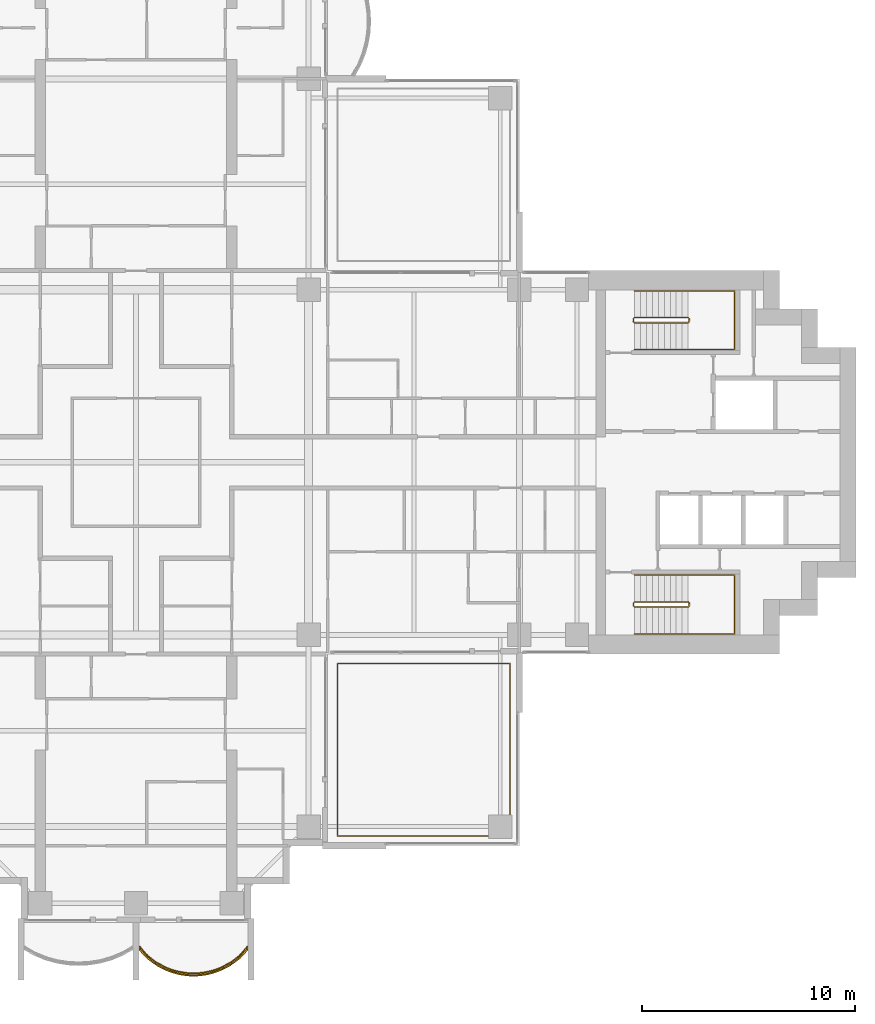
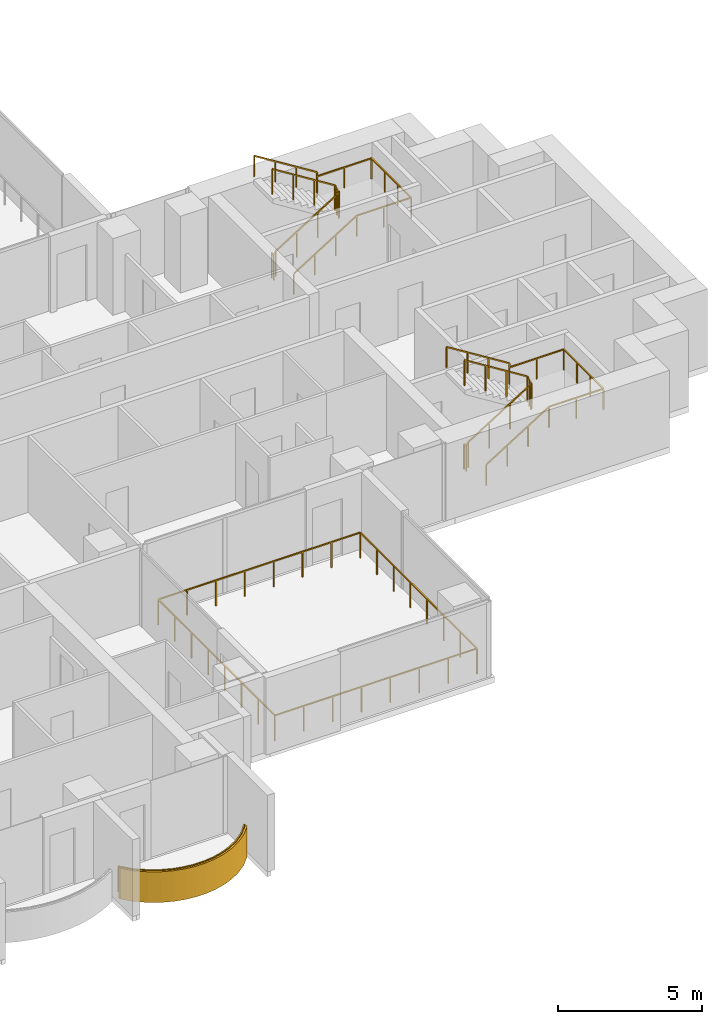
# One storey, part 17 of 19: 6 railings, 1 covering.
"""IFC4 building model written with IfcOpenShell, lengths in metres."""

import ifcopenshell
import ifcopenshell.guid

model = None  # the IFC model being written
_history = None  # IfcOwnerHistory: only IFC2X3 demands one
_inside = {}  # id of a spatial element -> (the spatial element, [elements in it])
_under = {}  # id of a project, library or spatial element -> (it, [spatial elements below it])
_declared = {}  # id of a project -> (the project, [libraries it declares])
_typed = {}  # id of a type object -> (the type object, [elements of that type])
_made_of = {}  # id of a material, layer set ... -> (it, [elements and type objects made of it])


def new_model(schema):
    """Start an empty IFC model of exactly this schema.

    Asked for "IFC4X3", IfcOpenShell would pick the latest addendum, in which some entities
    have other attributes; the version numbers below select the first issue.
    IFC2X3 requires an IfcOwnerHistory on every rooted entity: one is made here for all.
    """
    global model, _history
    if schema == "IFC4X3":
        model = ifcopenshell.file(schema_version=(4, 3, 0, 0))
    else:
        model = ifcopenshell.file(schema=schema)
    _inside.clear()
    _under.clear()
    _declared.clear()
    _typed.clear()
    _made_of.clear()
    _history = None
    if model.schema == "IFC2X3":
        org = make("IfcOrganization", Name="unknown")
        user = make(
            "IfcPersonAndOrganization",
            ThePerson=make("IfcPerson", FamilyName="unknown"),
            TheOrganization=org,
        )
        app = make(
            "IfcApplication",
            ApplicationDeveloper=org,
            Version="unknown",
            ApplicationFullName="unknown",
            ApplicationIdentifier="unknown",
        )
        _history = make(
            "IfcOwnerHistory",
            OwningUser=user,
            OwningApplication=app,
            ChangeAction="ADDED",
            CreationDate=0,
        )
    return model


def make(cls, **values):
    """One entity of the class cls with the attributes given. An attribute that is None is left unset."""
    return model.create_entity(
        cls, **{name: value for name, value in values.items() if value is not None}
    )


def rooted(cls, **values):
    """An entity with a GlobalId (a new one), such as an element, a storey or a relation."""
    return make(cls, GlobalId=ifcopenshell.guid.new(), OwnerHistory=_history, **values)


def si_unit(unit_type, name, prefix=None):
    """IfcSIUnit, for example si_unit("LENGTHUNIT", "METRE", prefix="MILLI")."""
    return make("IfcSIUnit", UnitType=unit_type, Prefix=prefix, Name=name)


def assignment(units):
    """IfcUnitAssignment: the units of a project."""
    return None if units is None else make("IfcUnitAssignment", Units=units)


def point(xyz):
    """IfcCartesianPoint."""
    return None if xyz is None else make("IfcCartesianPoint", Coordinates=xyz)


def direction(xyz):
    """IfcDirection."""
    return None if xyz is None else make("IfcDirection", DirectionRatios=xyz)


def frame(location, z_axis=None, x_axis=None):
    """IfcAxis2Placement3D, a coordinate frame: its origin and axes. An axis left out is left unset."""
    return make(
        "IfcAxis2Placement3D",
        Location=point(location),
        Axis=direction(z_axis),
        RefDirection=direction(x_axis),
    )


def frame_2d(location, x_axis=None):
    """IfcAxis2Placement2D, a coordinate frame in the plane: its origin and x axis."""
    return make(
        "IfcAxis2Placement2D", Location=point(location), RefDirection=direction(x_axis)
    )


def origin():
    """The frame at (0, 0, 0) with its axes left unset."""
    return frame((0.0, 0.0, 0.0))


def origin_2d():
    """The frame at (0, 0) in the plane with its x axis left unset."""
    return frame_2d((0.0, 0.0))


def place(relative_to, where):
    """IfcLocalPlacement: puts the frame where relative to a parent placement (None: the world)."""
    return make(
        "IfcLocalPlacement", PlacementRelTo=relative_to, RelativePlacement=where
    )


def context(
    kind, dimensions, precision=None, world=None, true_north=None, identifier=None
):
    """IfcGeometricRepresentationContext, for example the 3D "Model" context."""
    return make(
        "IfcGeometricRepresentationContext",
        ContextIdentifier=identifier,
        ContextType=kind,
        CoordinateSpaceDimension=dimensions,
        Precision=precision,
        WorldCoordinateSystem=world,
        TrueNorth=true_north,
    )


def subcontext(parent, identifier, kind, view, scale=None):
    """IfcGeometricRepresentationSubContext, for example "Body" below "Model"."""
    return make(
        "IfcGeometricRepresentationSubContext",
        ContextIdentifier=identifier,
        ContextType=kind,
        ParentContext=parent,
        TargetScale=scale,
        TargetView=view,
    )


def project(units=None, contexts=None):
    """IfcProject with its units and contexts."""
    return rooted(
        "IfcProject",
        Name="project",
        RepresentationContexts=contexts,
        UnitsInContext=assignment(units),
    )


def spatial(cls, under=None, at=None, **own):
    """A site, building, storey or space (cls), placed at a placement, below another one or the project."""
    s = rooted(cls, ObjectPlacement=at, **own)
    if under is not None:
        _under.setdefault(under.id(), (under, []))[1].append(s)
    return s


def polyline(points):
    """IfcPolyline through the points."""
    return make("IfcPolyline", Points=[point(p) for p in points])


def profile(cls, at=None, kind="AREA", **sizes):
    """A parametric profile (cls). Its sizes go by their IFC names, for example OverallWidth=200.0."""
    return make(cls, ProfileType=kind, Position=at, **sizes)


def rectangle(**sizes):
    """IfcRectangleProfileDef."""
    return profile("IfcRectangleProfileDef", **sizes)


def outline(outer, holes=None, kind="AREA"):
    """IfcArbitraryClosedProfileDef: a profile drawn as a closed curve; with holes, ...WithVoids."""
    if holes is None:
        return make("IfcArbitraryClosedProfileDef", ProfileType=kind, OuterCurve=outer)
    return make(
        "IfcArbitraryProfileDefWithVoids",
        ProfileType=kind,
        OuterCurve=outer,
        InnerCurves=holes,
    )


def extrude(swept, where, along, depth):
    """IfcExtrudedAreaSolid: the profile swept, set in the frame where, extruded along a direction by depth."""
    return make(
        "IfcExtrudedAreaSolid",
        SweptArea=swept,
        Position=where,
        ExtrudedDirection=direction(along),
        Depth=depth,
    )


def shape(context_of_items, identifier, shape_type, items):
    """IfcShapeRepresentation: the items that make up one representation, for example the "Body"."""
    return make(
        "IfcShapeRepresentation",
        ContextOfItems=context_of_items,
        RepresentationIdentifier=identifier,
        RepresentationType=shape_type,
        Items=items,
    )


def material(Name=None, Category=None):
    """IfcMaterial."""
    return make("IfcMaterial", Name=Name, Category=Category)


def layer(
    of_material, thickness, ventilated=None, Name=None, Category=None, Priority=None
):
    """IfcMaterialLayer: one layer of a wall or slab, of a material (None: an air gap)."""
    return make(
        "IfcMaterialLayer",
        Material=of_material,
        LayerThickness=thickness,
        IsVentilated=ventilated,
        Name=Name,
        Category=Category,
        Priority=Priority,
    )


def layer_set(layers, Name=None):
    """IfcMaterialLayerSet."""
    return make("IfcMaterialLayerSet", MaterialLayers=layers, LayerSetName=Name)


def made_of(thing, what):
    """Note that an element or type object is made of a material, layer set ...; save() writes the relation."""
    if what is not None:
        _made_of.setdefault(what.id(), (what, []))[1].append(thing)
    return thing


def type_object(cls, material=None, **own):
    """A type object (cls), such as IfcWallType, which elements share."""
    return made_of(rooted(cls, **own), material)


def element(
    cls,
    number,
    at=None,
    inside=None,
    cuts=None,
    type_object=None,
    material=None,
    context=None,
    identifier="Body",
    shape_type=None,
    held_by="IfcProductDefinitionShape",
    body=None,
    shapes=None,
    **own,
):
    """One element of the class cls, such as IfcWall. Its Tag is "e" and its number.

    at: its placement. inside: the storey or other place that contains it. cuts: it is an
    opening in that element (IfcRelVoidsElement). A single representation is given by context,
    identifier, shape_type and body (its items); several are given by shapes. held_by: the class
    of the entity that holds the representations. save() writes the other relations.
    """
    e = rooted(cls, Tag="e%d" % number, ObjectPlacement=at, **own)
    if body is not None:
        shapes = [shape(context, identifier, shape_type, body)]
    if shapes is not None:
        e.Representation = make(held_by, Representations=shapes)
    if inside is not None:
        _inside.setdefault(inside.id(), (inside, []))[1].append(e)
    if cuts is not None:
        rooted(
            "IfcRelVoidsElement", RelatingBuildingElement=cuts, RelatedOpeningElement=e
        )
    if type_object is not None:
        _typed.setdefault(type_object.id(), (type_object, []))[1].append(e)
    return made_of(e, material)


def aggregate(whole, parts):
    """IfcRelAggregates: a whole, such as a stair, and the parts it consists of."""
    return rooted("IfcRelAggregates", RelatingObject=whole, RelatedObjects=parts)


def save(model, path):
    """Write the relations noted so far, then the file.

    IfcRelAggregates (storeys below a building ...), IfcRelContainedInSpatialStructure (elements
    in a storey), IfcRelDefinesByType, IfcRelAssociatesMaterial and IfcRelDeclares: one each for
    every whole, place, type object, material and project.
    """
    for whole, parts in _under.values():
        aggregate(whole, parts)
    for where, things in _inside.values():
        rooted(
            "IfcRelContainedInSpatialStructure",
            RelatedElements=things,
            RelatingStructure=where,
        )
    for kind, things in _typed.values():
        rooted("IfcRelDefinesByType", RelatedObjects=things, RelatingType=kind)
    for what, things in _made_of.values():
        rooted("IfcRelAssociatesMaterial", RelatedObjects=things, RelatingMaterial=what)
    for by, libraries in _declared.values():
        rooted("IfcRelDeclares", RelatingContext=by, RelatedDefinitions=libraries)
    model.write(path)


model = new_model("IFC4")

# Units and contexts
model_context = context("Model", 3, precision=1e-05, world=origin(), true_north=direction((0.0, 1.0)))
body_context = subcontext(model_context, "Body", "Model", "MODEL_VIEW")
ifc_project = project(units=[si_unit("LENGTHUNIT", "METRE"), si_unit("AREAUNIT", "SQUARE_METRE"), si_unit("VOLUMEUNIT", "CUBIC_METRE"), si_unit("PLANEANGLEUNIT", "RADIAN"), si_unit("MASSUNIT", "GRAM", prefix="KILO")], contexts=[model_context])

# Site, building, storey
site_placement = place(None, origin())
site = spatial("IfcSite", under=ifc_project, at=site_placement, CompositionType="ELEMENT")
building_placement = place(site_placement, origin())
building = spatial("IfcBuilding", under=site, at=building_placement, Name="Perihelion Cross Residences", CompositionType="ELEMENT")
storey_placement = place(building_placement, frame((0.0, 0.0, 144.39990234375)))
storey = spatial("IfcBuildingStorey", under=building, at=storey_placement, Name="L35", CompositionType="ELEMENT", Elevation=144.39990234375)

# Covering
ifc_material_1 = material(Name="Bronze anodised aluminium", Category="aluminium")
ifc_layer = layer(ifc_material_1, 0.070068359375)
ifc_layer_set = layer_set([ifc_layer], Name="Balcony fascia 1300")
covering_type = type_object("IfcCoveringType", Name="Balcony fascia 1300", PredefinedType="CLADDING", material=ifc_layer_set)
covering_placement = place(storey_placement, frame((0.0, 0.0, -0.199951171875)))
element("IfcCovering", 1, at=covering_placement, inside=storey, type_object=covering_type, Name="Fascia BF1 L35 south tip south bay 2", PredefinedType="CLADDING", context=body_context, shape_type="SweptSolid", body=[
    extrude(outline(polyline([(0.4951171875, -23.27392578125), (0.89599609375, -23.58251953125), (1.296875, -23.806396484375), (1.69775390625, -23.9638671875), (2.0986328125, -24.064697265625), (2.49951171875, -24.114013671875), (2.900390625, -24.114013671875), (3.30126953125, -24.064697265625), (3.7021484375, -23.9638671875), (4.10302734375, -23.806396484375), (4.50390625, -23.58251953125), (4.90478515625, -23.27392578125), (5.25, -22.90283203125), (5.25, -22.800048828125), (4.857666015625, -23.22216796875), (4.46533203125, -23.524169921875), (4.072998046875, -23.7431640625), (3.6806640625, -23.897216796875), (3.28857421875, -23.995849609375), (2.896240234375, -24.0439453125), (2.50390625, -24.0439453125), (2.111572265625, -23.995849609375), (1.71923828125, -23.897216796875), (1.326904296875, -23.7431640625), (0.9345703125, -23.524169921875), (0.542236328125, -23.22216796875), (0.14990234375, -22.800048828125), (0.14990234375, -22.90283203125), (0.4951171875, -23.27392578125)])), origin(), (0.0, 0.0, 1.0), 1.300048828125),
])

# Railings
ifc_material_2 = material(Name="Bronze anodised aluminium", Category="aluminium")
railing_type_1 = type_object("IfcRailingType", Name="Balcony guard 1100", PredefinedType="GUARDRAIL", material=ifc_material_2)
railing_1_placement = place(storey_placement, frame((0.175048828125, -22.739990234375, 0.0)))
element("IfcRailing", 2, at=railing_1_placement, inside=storey, type_object=railing_type_1, Name="Guard GU1 L35 south tip south bay 2 balcony", PredefinedType="GUARDRAIL", context=body_context, shape_type="SweptSolid", body=[
    extrude(rectangle(XDim=0.048095703125, YDim=0.048095703125, at=origin_2d()), frame((0.0, 0.0, 1.076171875), z_axis=(0.656308349551, -0.754492776844, 0.0), x_axis=(0.754492776844, 0.656308349551, 0.0)), (0.0, 0.0, 1.0), 0.5595703125),
    extrude(rectangle(XDim=0.048095703125, YDim=0.048095703125, at=origin_2d()), frame((0.3671875, -0.422119140625, 1.076171875), z_axis=(0.792422303655, -0.609972862241, 0.0), x_axis=(0.609972862241, 0.792422303655, 0.0)), (0.0, 0.0, 1.0), 0.4951171875),
    extrude(rectangle(XDim=0.048095703125, YDim=0.048095703125, at=origin_2d()), frame((0.759521484375, -0.72412109375, 1.076171875), z_axis=(0.873181568748, -0.487395063576, 0.0), x_axis=(0.487395063576, 0.873181568748, 0.0)), (0.0, 0.0, 1.0), 0.44921875),
    extrude(rectangle(XDim=0.048095703125, YDim=0.048095703125, at=origin_2d()), frame((1.15185546875, -0.943115234375, 1.076171875), z_axis=(0.930617693705, -0.365992770642, 0.0), x_axis=(0.365992770642, 0.930617693705, 0.0)), (0.0, 0.0, 1.0), 0.421630859375),
    extrude(rectangle(XDim=0.048095703125, YDim=0.048095703125, at=origin_2d()), frame((1.544189453125, -1.097412109375, 1.076171875), z_axis=(0.969964714601, -0.243245662716, 0.0), x_axis=(0.243245662716, 0.969964714601, 0.0)), (0.0, 0.0, 1.0), 0.404541015625),
    extrude(rectangle(XDim=0.048095703125, YDim=0.048095703125, at=origin_2d()), frame((1.9365234375, -1.19580078125, 1.076171875), z_axis=(0.992494874491, -0.122286238425, 0.0), x_axis=(0.122286238425, 0.992494874491, 0.0)), (0.0, 0.0, 1.0), 0.395263671875),
    extrude(rectangle(XDim=0.048095703125, YDim=0.048095703125, at=origin_2d()), frame((2.328857421875, -1.244140625, 1.076171875), z_axis=(1.0, 0.0, 0.0), x_axis=(0.0, 1.0, 0.0)), (0.0, 0.0, 1.0), 0.392333984375),
    extrude(rectangle(XDim=0.048095703125, YDim=0.048095703125, at=origin_2d()), frame((2.72119140625, -1.244140625, 1.076171875), z_axis=(0.992494874491, 0.122286238425, 0.0), x_axis=(-0.122286238425, 0.992494874491, 0.0)), (0.0, 0.0, 1.0), 0.395263671875),
    extrude(rectangle(XDim=0.048095703125, YDim=0.048095703125, at=origin_2d()), frame((3.113525390625, -1.19580078125, 1.076171875), z_axis=(0.96992896989, 0.243388153715, 0.0), x_axis=(-0.243388153715, 0.96992896989, 0.0)), (0.0, 0.0, 1.0), 0.404296875),
    extrude(rectangle(XDim=0.048095703125, YDim=0.048095703125, at=origin_2d()), frame((3.505615234375, -1.097412109375, 1.076171875), z_axis=(0.930617693705, 0.365992770642, 0.0), x_axis=(-0.365992770642, 0.930617693705, 0.0)), (0.0, 0.0, 1.0), 0.421630859375),
    extrude(rectangle(XDim=0.048095703125, YDim=0.048095703125, at=origin_2d()), frame((3.89794921875, -0.943115234375, 1.076171875), z_axis=(0.873181568748, 0.487395063576, 0.0), x_axis=(-0.487395063576, 0.873181568748, 0.0)), (0.0, 0.0, 1.0), 0.44921875),
    extrude(rectangle(XDim=0.048095703125, YDim=0.048095703125, at=origin_2d()), frame((4.290283203125, -0.72412109375, 1.076171875), z_axis=(0.792422303655, 0.609972862241, 0.0), x_axis=(-0.609972862241, 0.792422303655, 0.0)), (0.0, 0.0, 1.0), 0.4951171875),
    extrude(rectangle(XDim=0.048095703125, YDim=0.048095703125, at=origin_2d()), frame((4.6826171875, -0.422119140625, 1.076171875), z_axis=(0.656556653543, 0.754276713606, 0.0), x_axis=(-0.754276713606, 0.656556653543, 0.0)), (0.0, 0.0, 1.0), 0.5595703125),
    extrude(rectangle(XDim=0.0419921875, YDim=0.0419921875, at=origin_2d()), origin(), (0.0, 0.0, 1.0), 1.052001953125),
    extrude(rectangle(XDim=0.0419921875, YDim=0.0419921875, at=origin_2d()), frame((0.3671875, -0.422119140625, 0.0)), (0.0, 0.0, 1.0), 1.052001953125),
    extrude(rectangle(XDim=0.0419921875, YDim=0.0419921875, at=origin_2d()), frame((0.759521484375, -0.72412109375, 0.0)), (0.0, 0.0, 1.0), 1.052001953125),
    extrude(rectangle(XDim=0.0419921875, YDim=0.0419921875, at=origin_2d()), frame((1.15185546875, -0.943115234375, 0.0)), (0.0, 0.0, 1.0), 1.052001953125),
    extrude(rectangle(XDim=0.0419921875, YDim=0.0419921875, at=origin_2d()), frame((1.544189453125, -1.097412109375, 0.0)), (0.0, 0.0, 1.0), 1.052001953125),
    extrude(rectangle(XDim=0.0419921875, YDim=0.0419921875, at=origin_2d()), frame((1.9365234375, -1.19580078125, 0.0)), (0.0, 0.0, 1.0), 1.052001953125),
    extrude(rectangle(XDim=0.0419921875, YDim=0.0419921875, at=origin_2d()), frame((2.328857421875, -1.244140625, 0.0)), (0.0, 0.0, 1.0), 1.052001953125),
    extrude(rectangle(XDim=0.0419921875, YDim=0.0419921875, at=origin_2d()), frame((2.72119140625, -1.244140625, 0.0)), (0.0, 0.0, 1.0), 1.052001953125),
    extrude(rectangle(XDim=0.0419921875, YDim=0.0419921875, at=origin_2d()), frame((3.113525390625, -1.19580078125, 0.0)), (0.0, 0.0, 1.0), 1.052001953125),
    extrude(rectangle(XDim=0.0419921875, YDim=0.0419921875, at=origin_2d()), frame((3.505615234375, -1.097412109375, 0.0)), (0.0, 0.0, 1.0), 1.052001953125),
    extrude(rectangle(XDim=0.0419921875, YDim=0.0419921875, at=origin_2d()), frame((3.89794921875, -0.943115234375, 0.0)), (0.0, 0.0, 1.0), 1.052001953125),
    extrude(rectangle(XDim=0.0419921875, YDim=0.0419921875, at=origin_2d()), frame((4.290283203125, -0.72412109375, 0.0)), (0.0, 0.0, 1.0), 1.052001953125),
    extrude(rectangle(XDim=0.0419921875, YDim=0.0419921875, at=origin_2d()), frame((4.6826171875, -0.422119140625, 0.0)), (0.0, 0.0, 1.0), 1.052001953125),
    extrude(rectangle(XDim=0.0419921875, YDim=0.0419921875, at=origin_2d()), frame((5.050048828125, 0.0, 0.0)), (0.0, 0.0, 1.0), 1.052001953125),
])
railing_2_placement = place(storey_placement, frame((17.550048828125, -17.550048828125, 0.0)))
element("IfcRailing", 3, at=railing_2_placement, inside=storey, type_object=railing_type_1, Name="Guard GU1 L35 pocket south-east 1", PredefinedType="GUARDRAIL", context=body_context, shape_type="SweptSolid", body=[
    extrude(rectangle(XDim=0.048095703125, YDim=0.048095703125, at=origin_2d()), frame((0.0, 0.0, 1.076171875), z_axis=(-1.0, 0.0, 0.0), x_axis=(0.0, -1.0, 0.0)), (0.0, 0.0, 1.0), 8.10009765625),
    extrude(rectangle(XDim=0.048095703125, YDim=0.048095703125, at=origin_2d()), frame((-8.10009765625, 0.0, 1.076171875), z_axis=(0.0, 1.0, 0.0), x_axis=(-1.0, 0.0, 0.0)), (0.0, 0.0, 1.0), 8.10009765625),
    extrude(rectangle(XDim=0.048095703125, YDim=0.048095703125, at=origin_2d()), frame((-8.10009765625, 8.10009765625, 1.076171875), z_axis=(1.0, 0.0, 0.0), x_axis=(0.0, 1.0, 0.0)), (0.0, 0.0, 1.0), 8.10009765625),
    extrude(rectangle(XDim=0.048095703125, YDim=0.048095703125, at=origin_2d()), frame((0.0, 8.10009765625, 1.076171875), z_axis=(0.0, -1.0, 0.0), x_axis=(1.0, 0.0, 0.0)), (0.0, 0.0, 1.0), 8.10009765625),
    extrude(rectangle(XDim=0.0419921875, YDim=0.0419921875, at=origin_2d()), origin(), (0.0, 0.0, 1.0), 1.052001953125),
    extrude(rectangle(XDim=0.0419921875, YDim=0.0419921875, at=origin_2d()), frame((-1.1572265625, 0.0, 0.0)), (0.0, 0.0, 1.0), 1.052001953125),
    extrude(rectangle(XDim=0.0419921875, YDim=0.0419921875, at=origin_2d()), frame((-2.314208984375, 0.0, 0.0)), (0.0, 0.0, 1.0), 1.052001953125),
    extrude(rectangle(XDim=0.0419921875, YDim=0.0419921875, at=origin_2d()), frame((-3.471435546875, 0.0, 0.0)), (0.0, 0.0, 1.0), 1.052001953125),
    extrude(rectangle(XDim=0.0419921875, YDim=0.0419921875, at=origin_2d()), frame((-4.628662109375, 0.0, 0.0)), (0.0, 0.0, 1.0), 1.052001953125),
    extrude(rectangle(XDim=0.0419921875, YDim=0.0419921875, at=origin_2d()), frame((-5.785888671875, 0.0, 0.0)), (0.0, 0.0, 1.0), 1.052001953125),
    extrude(rectangle(XDim=0.0419921875, YDim=0.0419921875, at=origin_2d()), frame((-6.94287109375, 0.0, 0.0)), (0.0, 0.0, 1.0), 1.052001953125),
    extrude(rectangle(XDim=0.0419921875, YDim=0.0419921875, at=origin_2d()), frame((-8.10009765625, 0.0, 0.0)), (0.0, 0.0, 1.0), 1.052001953125),
    extrude(rectangle(XDim=0.0419921875, YDim=0.0419921875, at=origin_2d()), frame((-8.10009765625, 1.1572265625, 0.0)), (0.0, 0.0, 1.0), 1.052001953125),
    extrude(rectangle(XDim=0.0419921875, YDim=0.0419921875, at=origin_2d()), frame((-8.10009765625, 2.314208984375, 0.0)), (0.0, 0.0, 1.0), 1.052001953125),
    extrude(rectangle(XDim=0.0419921875, YDim=0.0419921875, at=origin_2d()), frame((-8.10009765625, 3.471435546875, 0.0)), (0.0, 0.0, 1.0), 1.052001953125),
    extrude(rectangle(XDim=0.0419921875, YDim=0.0419921875, at=origin_2d()), frame((-8.10009765625, 4.628662109375, 0.0)), (0.0, 0.0, 1.0), 1.052001953125),
    extrude(rectangle(XDim=0.0419921875, YDim=0.0419921875, at=origin_2d()), frame((-8.10009765625, 5.785888671875, 0.0)), (0.0, 0.0, 1.0), 1.052001953125),
    extrude(rectangle(XDim=0.0419921875, YDim=0.0419921875, at=origin_2d()), frame((-8.10009765625, 6.94287109375, 0.0)), (0.0, 0.0, 1.0), 1.052001953125),
    extrude(rectangle(XDim=0.0419921875, YDim=0.0419921875, at=origin_2d()), frame((-8.10009765625, 8.10009765625, 0.0)), (0.0, 0.0, 1.0), 1.052001953125),
    extrude(rectangle(XDim=0.0419921875, YDim=0.0419921875, at=origin_2d()), frame((-6.94287109375, 8.10009765625, 0.0)), (0.0, 0.0, 1.0), 1.052001953125),
    extrude(rectangle(XDim=0.0419921875, YDim=0.0419921875, at=origin_2d()), frame((-5.785888671875, 8.10009765625, 0.0)), (0.0, 0.0, 1.0), 1.052001953125),
    extrude(rectangle(XDim=0.0419921875, YDim=0.0419921875, at=origin_2d()), frame((-4.628662109375, 8.10009765625, 0.0)), (0.0, 0.0, 1.0), 1.052001953125),
    extrude(rectangle(XDim=0.0419921875, YDim=0.0419921875, at=origin_2d()), frame((-3.471435546875, 8.10009765625, 0.0)), (0.0, 0.0, 1.0), 1.052001953125),
    extrude(rectangle(XDim=0.0419921875, YDim=0.0419921875, at=origin_2d()), frame((-2.314208984375, 8.10009765625, 0.0)), (0.0, 0.0, 1.0), 1.052001953125),
    extrude(rectangle(XDim=0.0419921875, YDim=0.0419921875, at=origin_2d()), frame((-1.1572265625, 8.10009765625, 0.0)), (0.0, 0.0, 1.0), 1.052001953125),
    extrude(rectangle(XDim=0.0419921875, YDim=0.0419921875, at=origin_2d()), frame((0.0, 8.10009765625, 0.0)), (0.0, 0.0, 1.0), 1.052001953125),
    extrude(rectangle(XDim=0.0419921875, YDim=0.0419921875, at=origin_2d()), frame((0.0, 6.94287109375, 0.0)), (0.0, 0.0, 1.0), 1.052001953125),
    extrude(rectangle(XDim=0.0419921875, YDim=0.0419921875, at=origin_2d()), frame((0.0, 5.785888671875, 0.0)), (0.0, 0.0, 1.0), 1.052001953125),
    extrude(rectangle(XDim=0.0419921875, YDim=0.0419921875, at=origin_2d()), frame((0.0, 4.628662109375, 0.0)), (0.0, 0.0, 1.0), 1.052001953125),
    extrude(rectangle(XDim=0.0419921875, YDim=0.0419921875, at=origin_2d()), frame((0.0, 3.471435546875, 0.0)), (0.0, 0.0, 1.0), 1.052001953125),
    extrude(rectangle(XDim=0.0419921875, YDim=0.0419921875, at=origin_2d()), frame((0.0, 2.314208984375, 0.0)), (0.0, 0.0, 1.0), 1.052001953125),
    extrude(rectangle(XDim=0.0419921875, YDim=0.0419921875, at=origin_2d()), frame((0.0, 1.1572265625, 0.0)), (0.0, 0.0, 1.0), 1.052001953125),
])
ifc_material_3 = material(Name="Stainless steel", Category="steel")
railing_type_2 = type_object("IfcRailingType", Name="Stair guard 1100", PredefinedType="GUARDRAIL", material=ifc_material_3)
railing_3_placement = place(storey_placement, frame((23.35009765625, 6.75, 0.0)))
element("IfcRailing", 4, at=railing_3_placement, inside=storey, type_object=railing_type_2, Name="L35 ST-E1 stair guard 1", PredefinedType="GUARDRAIL", context=body_context, shape_type="SweptSolid", body=[
    extrude(rectangle(XDim=0.048095703125, YDim=0.048095703125, at=origin_2d()), frame((0.0, 0.0, 1.076171875), z_axis=(0.0, -1.0, 0.0), x_axis=(1.0, 0.0, 0.0)), (0.0, 0.0, 1.0), 0.14990234375),
    extrude(rectangle(XDim=0.048095703125, YDim=0.048095703125, at=origin_2d()), frame((0.0, -0.14990234375, 1.076171875), z_axis=(0.263862480399, -0.265155923931, 0.927399011991), x_axis=(0.708833529934, 0.705375805398, 0.0)), (0.0, 0.0, 1.0), 0.188720703125),
    extrude(rectangle(XDim=0.048095703125, YDim=0.048095703125, at=origin_2d()), frame((0.0498046875, -0.199951171875, 1.2509765625), z_axis=(0.848007534815, 0.0, 0.529984170421), x_axis=(0.0, 1.0, 0.0)), (0.0, 0.0, 1.0), 2.9716796875),
    extrude(rectangle(XDim=0.048095703125, YDim=0.048095703125, at=origin_2d()), frame((2.56982421875, -0.199951171875, 2.826171875), z_axis=(0.707106781187, 0.707106781187, 0.0), x_axis=(-0.707106781187, 0.707106781187, 0.0)), (0.0, 0.0, 1.0), 0.07080078125),
    extrude(rectangle(XDim=0.048095703125, YDim=0.048095703125, at=origin_2d()), frame((2.619873046875, -0.14990234375, 2.826171875), z_axis=(0.0, 1.0, 0.0), x_axis=(-1.0, 0.0, 0.0)), (0.0, 0.0, 1.0), 0.14990234375),
    extrude(rectangle(XDim=0.048095703125, YDim=0.048095703125, at=origin_2d()), frame((2.619873046875, 0.0, 2.826171875), z_axis=(-0.265065253269, 0.265065253269, 0.927081885822), x_axis=(-0.707106781187, -0.707106781187, 0.0)), (0.0, 0.0, 1.0), 0.188720703125),
    extrude(rectangle(XDim=0.048095703125, YDim=0.048095703125, at=origin_2d()), frame((2.56982421875, 0.050048828125, 3.0009765625), z_axis=(-0.848007534815, 0.0, 0.529984170421), x_axis=(0.0, -1.0, 0.0)), (0.0, 0.0, 1.0), 2.9716796875),
    extrude(rectangle(XDim=0.0419921875, YDim=0.0419921875, at=origin_2d()), origin(), (0.0, 0.0, 1.0), 1.052001953125),
    extrude(rectangle(XDim=0.0419921875, YDim=0.0419921875, at=origin_2d()), frame((0.0, -0.14990234375, 0.0)), (0.0, 0.0, 1.0), 1.052001953125),
    extrude(rectangle(XDim=0.0419921875, YDim=0.0419921875, at=origin_2d()), frame((0.0498046875, -0.199951171875, 0.175048828125)), (0.0, 0.0, 1.0), 1.052001953125),
    extrude(rectangle(XDim=0.0419921875, YDim=0.0419921875, at=origin_2d()), frame((0.889892578125, -0.199951171875, 0.699951171875)), (0.0, 0.0, 1.0), 1.052001953125),
    extrude(rectangle(XDim=0.0419921875, YDim=0.0419921875, at=origin_2d()), frame((1.729736328125, -0.199951171875, 1.22509765625)), (0.0, 0.0, 1.0), 1.052001953125),
    extrude(rectangle(XDim=0.0419921875, YDim=0.0419921875, at=origin_2d()), frame((2.56982421875, -0.199951171875, 1.75)), (0.0, 0.0, 1.0), 1.052001953125),
    extrude(rectangle(XDim=0.0419921875, YDim=0.0419921875, at=origin_2d()), frame((2.619873046875, -0.14990234375, 1.75)), (0.0, 0.0, 1.0), 1.052001953125),
    extrude(rectangle(XDim=0.0419921875, YDim=0.0419921875, at=origin_2d()), frame((2.619873046875, 0.0, 1.75)), (0.0, 0.0, 1.0), 1.052001953125),
    extrude(rectangle(XDim=0.0419921875, YDim=0.0419921875, at=origin_2d()), frame((2.56982421875, 0.050048828125, 1.925048828125)), (0.0, 0.0, 1.0), 1.052001953125),
    extrude(rectangle(XDim=0.0419921875, YDim=0.0419921875, at=origin_2d()), frame((1.729736328125, 0.050048828125, 2.449951171875)), (0.0, 0.0, 1.0), 1.052001953125),
    extrude(rectangle(XDim=0.0419921875, YDim=0.0419921875, at=origin_2d()), frame((0.889892578125, 0.050048828125, 2.97509765625)), (0.0, 0.0, 1.0), 1.052001953125),
    extrude(rectangle(XDim=0.0419921875, YDim=0.0419921875, at=origin_2d()), frame((0.0498046875, 0.050048828125, 3.5)), (0.0, 0.0, 1.0), 1.052001953125),
])
railing_4_placement = place(storey_placement, frame((23.35009765625, -6.60009765625, 0.0)))
element("IfcRailing", 5, at=railing_4_placement, inside=storey, type_object=railing_type_2, Name="L35 ST-E2 stair guard 1", PredefinedType="GUARDRAIL", context=body_context, shape_type="SweptSolid", body=[
    extrude(rectangle(XDim=0.048095703125, YDim=0.048095703125, at=origin_2d()), frame((0.0, 0.0, 1.076171875), z_axis=(0.0, -1.0, 0.0), x_axis=(1.0, 0.0, 0.0)), (0.0, 0.0, 1.0), 0.14990234375),
    extrude(rectangle(XDim=0.048095703125, YDim=0.048095703125, at=origin_2d()), frame((0.0, -0.14990234375, 1.076171875), z_axis=(0.263862480399, -0.265155923931, 0.927399011991), x_axis=(0.708833529934, 0.705375805398, 0.0)), (0.0, 0.0, 1.0), 0.188720703125),
    extrude(rectangle(XDim=0.048095703125, YDim=0.048095703125, at=origin_2d()), frame((0.0498046875, -0.199951171875, 1.2509765625), z_axis=(0.848007534815, 0.0, 0.529984170421), x_axis=(0.0, 1.0, 0.0)), (0.0, 0.0, 1.0), 2.9716796875),
    extrude(rectangle(XDim=0.048095703125, YDim=0.048095703125, at=origin_2d()), frame((2.56982421875, -0.199951171875, 2.826171875), z_axis=(0.707106781187, 0.707106781187, 0.0), x_axis=(-0.707106781187, 0.707106781187, 0.0)), (0.0, 0.0, 1.0), 0.07080078125),
    extrude(rectangle(XDim=0.048095703125, YDim=0.048095703125, at=origin_2d()), frame((2.619873046875, -0.14990234375, 2.826171875), z_axis=(0.0, 1.0, 0.0), x_axis=(-1.0, 0.0, 0.0)), (0.0, 0.0, 1.0), 0.14990234375),
    extrude(rectangle(XDim=0.048095703125, YDim=0.048095703125, at=origin_2d()), frame((2.619873046875, 0.0, 2.826171875), z_axis=(-0.265065253269, 0.265065253269, 0.927081885822), x_axis=(-0.707106781187, -0.707106781187, 0.0)), (0.0, 0.0, 1.0), 0.188720703125),
    extrude(rectangle(XDim=0.048095703125, YDim=0.048095703125, at=origin_2d()), frame((2.56982421875, 0.050048828125, 3.0009765625), z_axis=(-0.848007534815, 0.0, 0.529984170421), x_axis=(0.0, -1.0, 0.0)), (0.0, 0.0, 1.0), 2.9716796875),
    extrude(rectangle(XDim=0.0419921875, YDim=0.0419921875, at=origin_2d()), origin(), (0.0, 0.0, 1.0), 1.052001953125),
    extrude(rectangle(XDim=0.0419921875, YDim=0.0419921875, at=origin_2d()), frame((0.0, -0.14990234375, 0.0)), (0.0, 0.0, 1.0), 1.052001953125),
    extrude(rectangle(XDim=0.0419921875, YDim=0.0419921875, at=origin_2d()), frame((0.0498046875, -0.199951171875, 0.175048828125)), (0.0, 0.0, 1.0), 1.052001953125),
    extrude(rectangle(XDim=0.0419921875, YDim=0.0419921875, at=origin_2d()), frame((0.889892578125, -0.199951171875, 0.699951171875)), (0.0, 0.0, 1.0), 1.052001953125),
    extrude(rectangle(XDim=0.0419921875, YDim=0.0419921875, at=origin_2d()), frame((1.729736328125, -0.199951171875, 1.22509765625)), (0.0, 0.0, 1.0), 1.052001953125),
    extrude(rectangle(XDim=0.0419921875, YDim=0.0419921875, at=origin_2d()), frame((2.56982421875, -0.199951171875, 1.75)), (0.0, 0.0, 1.0), 1.052001953125),
    extrude(rectangle(XDim=0.0419921875, YDim=0.0419921875, at=origin_2d()), frame((2.619873046875, -0.14990234375, 1.75)), (0.0, 0.0, 1.0), 1.052001953125),
    extrude(rectangle(XDim=0.0419921875, YDim=0.0419921875, at=origin_2d()), frame((2.619873046875, 0.0, 1.75)), (0.0, 0.0, 1.0), 1.052001953125),
    extrude(rectangle(XDim=0.0419921875, YDim=0.0419921875, at=origin_2d()), frame((2.56982421875, 0.050048828125, 1.925048828125)), (0.0, 0.0, 1.0), 1.052001953125),
    extrude(rectangle(XDim=0.0419921875, YDim=0.0419921875, at=origin_2d()), frame((1.729736328125, 0.050048828125, 2.449951171875)), (0.0, 0.0, 1.0), 1.052001953125),
    extrude(rectangle(XDim=0.0419921875, YDim=0.0419921875, at=origin_2d()), frame((0.889892578125, 0.050048828125, 2.97509765625)), (0.0, 0.0, 1.0), 1.052001953125),
    extrude(rectangle(XDim=0.0419921875, YDim=0.0419921875, at=origin_2d()), frame((0.0498046875, 0.050048828125, 3.5)), (0.0, 0.0, 1.0), 1.052001953125),
])
ifc_material_4 = material(Name="Stainless steel", Category="steel")
railing_type_3 = type_object("IfcRailingType", Name="Stair handrail 900", PredefinedType="HANDRAIL", material=ifc_material_4)
railing_5_placement = place(storey_placement, frame((23.39990234375, 5.300048828125, 0.175048828125)))
element("IfcRailing", 6, at=railing_5_placement, inside=storey, type_object=railing_type_3, Name="L35 ST-E1 stair handrail 1", PredefinedType="HANDRAIL", context=body_context, shape_type="SweptSolid", body=[
    extrude(rectangle(XDim=0.048095703125, YDim=0.048095703125, at=origin_2d()), frame((0.0, 0.0, 0.8759765625), z_axis=(0.848007534815, 0.0, 0.529984170421), x_axis=(0.0, 1.0, 0.0)), (0.0, 0.0, 1.0), 2.9716796875),
    extrude(rectangle(XDim=0.048095703125, YDim=0.048095703125, at=origin_2d()), frame((2.52001953125, 0.0, 2.45068359375), z_axis=(1.0, 0.0, 0.0), x_axis=(0.0, 1.0, 0.0)), (0.0, 0.0, 1.0), 2.18017578125),
    extrude(rectangle(XDim=0.048095703125, YDim=0.048095703125, at=origin_2d()), frame((4.7001953125, 0.0, 2.45068359375), z_axis=(0.0, 1.0, 0.0), x_axis=(-1.0, 0.0, 0.0)), (0.0, 0.0, 1.0), 2.75),
    extrude(rectangle(XDim=0.048095703125, YDim=0.048095703125, at=origin_2d()), frame((4.7001953125, 2.75, 2.45068359375), z_axis=(-1.0, 0.0, 0.0), x_axis=(0.0, -1.0, 0.0)), (0.0, 0.0, 1.0), 2.18017578125),
    extrude(rectangle(XDim=0.048095703125, YDim=0.048095703125, at=origin_2d()), frame((2.52001953125, 2.75, 2.45068359375), z_axis=(0.0, 0.0, 1.0), x_axis=(1.0, 0.0, 0.0)), (0.0, 0.0, 1.0), 0.175048828125),
    extrude(rectangle(XDim=0.048095703125, YDim=0.048095703125, at=origin_2d()), frame((2.52001953125, 2.75, 2.6259765625), z_axis=(-0.848007534815, 0.0, 0.529984170421), x_axis=(0.0, -1.0, 0.0)), (0.0, 0.0, 1.0), 2.9716796875),
    extrude(rectangle(XDim=0.0419921875, YDim=0.0419921875, at=origin_2d()), origin(), (0.0, 0.0, 1.0), 0.851806640625),
    extrude(rectangle(XDim=0.0419921875, YDim=0.0419921875, at=origin_2d()), frame((0.840087890625, 0.0, 0.52490234375)), (0.0, 0.0, 1.0), 0.851806640625),
    extrude(rectangle(XDim=0.0419921875, YDim=0.0419921875, at=origin_2d()), frame((1.679931640625, 0.0, 1.050048828125)), (0.0, 0.0, 1.0), 0.851806640625),
    extrude(rectangle(XDim=0.0419921875, YDim=0.0419921875, at=origin_2d()), frame((2.52001953125, 0.0, 1.574951171875)), (0.0, 0.0, 1.0), 0.851806640625),
    extrude(rectangle(XDim=0.0419921875, YDim=0.0419921875, at=origin_2d()), frame((3.610107421875, 0.0, 1.574951171875)), (0.0, 0.0, 1.0), 0.851806640625),
    extrude(rectangle(XDim=0.0419921875, YDim=0.0419921875, at=origin_2d()), frame((4.7001953125, 0.0, 1.574951171875)), (0.0, 0.0, 1.0), 0.851806640625),
    extrude(rectangle(XDim=0.0419921875, YDim=0.0419921875, at=origin_2d()), frame((4.7001953125, 0.916748046875, 1.574951171875)), (0.0, 0.0, 1.0), 0.851806640625),
    extrude(rectangle(XDim=0.0419921875, YDim=0.0419921875, at=origin_2d()), frame((4.7001953125, 1.833251953125, 1.574951171875)), (0.0, 0.0, 1.0), 0.851806640625),
    extrude(rectangle(XDim=0.0419921875, YDim=0.0419921875, at=origin_2d()), frame((4.7001953125, 2.75, 1.574951171875)), (0.0, 0.0, 1.0), 0.851806640625),
    extrude(rectangle(XDim=0.0419921875, YDim=0.0419921875, at=origin_2d()), frame((3.610107421875, 2.75, 1.574951171875)), (0.0, 0.0, 1.0), 0.851806640625),
    extrude(rectangle(XDim=0.0419921875, YDim=0.0419921875, at=origin_2d()), frame((2.52001953125, 2.75, 1.574951171875)), (0.0, 0.0, 1.0), 0.851806640625),
    extrude(rectangle(XDim=0.0419921875, YDim=0.0419921875, at=origin_2d()), frame((2.52001953125, 2.75, 1.75)), (0.0, 0.0, 1.0), 0.851806640625),
    extrude(rectangle(XDim=0.0419921875, YDim=0.0419921875, at=origin_2d()), frame((1.679931640625, 2.75, 2.27490234375)), (0.0, 0.0, 1.0), 0.851806640625),
    extrude(rectangle(XDim=0.0419921875, YDim=0.0419921875, at=origin_2d()), frame((0.840087890625, 2.75, 2.800048828125)), (0.0, 0.0, 1.0), 0.851806640625),
    extrude(rectangle(XDim=0.0419921875, YDim=0.0419921875, at=origin_2d()), frame((0.0, 2.75, 3.324951171875)), (0.0, 0.0, 1.0), 0.851806640625),
])
railing_6_placement = place(storey_placement, frame((23.39990234375, -8.050048828125, 0.175048828125)))
element("IfcRailing", 7, at=railing_6_placement, inside=storey, type_object=railing_type_3, Name="L35 ST-E2 stair handrail 1", PredefinedType="HANDRAIL", context=body_context, shape_type="SweptSolid", body=[
    extrude(rectangle(XDim=0.048095703125, YDim=0.048095703125, at=origin_2d()), frame((0.0, 0.0, 0.8759765625), z_axis=(0.848007534815, 0.0, 0.529984170421), x_axis=(0.0, 1.0, 0.0)), (0.0, 0.0, 1.0), 2.9716796875),
    extrude(rectangle(XDim=0.048095703125, YDim=0.048095703125, at=origin_2d()), frame((2.52001953125, 0.0, 2.45068359375), z_axis=(1.0, 0.0, 0.0), x_axis=(0.0, 1.0, 0.0)), (0.0, 0.0, 1.0), 2.18017578125),
    extrude(rectangle(XDim=0.048095703125, YDim=0.048095703125, at=origin_2d()), frame((4.7001953125, 0.0, 2.45068359375), z_axis=(0.0, 1.0, 0.0), x_axis=(-1.0, 0.0, 0.0)), (0.0, 0.0, 1.0), 2.75),
    extrude(rectangle(XDim=0.048095703125, YDim=0.048095703125, at=origin_2d()), frame((4.7001953125, 2.75, 2.45068359375), z_axis=(-1.0, 0.0, 0.0), x_axis=(0.0, -1.0, 0.0)), (0.0, 0.0, 1.0), 2.18017578125),
    extrude(rectangle(XDim=0.048095703125, YDim=0.048095703125, at=origin_2d()), frame((2.52001953125, 2.75, 2.45068359375), z_axis=(0.0, 0.0, 1.0), x_axis=(1.0, 0.0, 0.0)), (0.0, 0.0, 1.0), 0.175048828125),
    extrude(rectangle(XDim=0.048095703125, YDim=0.048095703125, at=origin_2d()), frame((2.52001953125, 2.75, 2.6259765625), z_axis=(-0.848007534815, 0.0, 0.529984170421), x_axis=(0.0, -1.0, 0.0)), (0.0, 0.0, 1.0), 2.9716796875),
    extrude(rectangle(XDim=0.0419921875, YDim=0.0419921875, at=origin_2d()), origin(), (0.0, 0.0, 1.0), 0.851806640625),
    extrude(rectangle(XDim=0.0419921875, YDim=0.0419921875, at=origin_2d()), frame((0.840087890625, 0.0, 0.52490234375)), (0.0, 0.0, 1.0), 0.851806640625),
    extrude(rectangle(XDim=0.0419921875, YDim=0.0419921875, at=origin_2d()), frame((1.679931640625, 0.0, 1.050048828125)), (0.0, 0.0, 1.0), 0.851806640625),
    extrude(rectangle(XDim=0.0419921875, YDim=0.0419921875, at=origin_2d()), frame((2.52001953125, 0.0, 1.574951171875)), (0.0, 0.0, 1.0), 0.851806640625),
    extrude(rectangle(XDim=0.0419921875, YDim=0.0419921875, at=origin_2d()), frame((3.610107421875, 0.0, 1.574951171875)), (0.0, 0.0, 1.0), 0.851806640625),
    extrude(rectangle(XDim=0.0419921875, YDim=0.0419921875, at=origin_2d()), frame((4.7001953125, 0.0, 1.574951171875)), (0.0, 0.0, 1.0), 0.851806640625),
    extrude(rectangle(XDim=0.0419921875, YDim=0.0419921875, at=origin_2d()), frame((4.7001953125, 0.916748046875, 1.574951171875)), (0.0, 0.0, 1.0), 0.851806640625),
    extrude(rectangle(XDim=0.0419921875, YDim=0.0419921875, at=origin_2d()), frame((4.7001953125, 1.833251953125, 1.574951171875)), (0.0, 0.0, 1.0), 0.851806640625),
    extrude(rectangle(XDim=0.0419921875, YDim=0.0419921875, at=origin_2d()), frame((4.7001953125, 2.75, 1.574951171875)), (0.0, 0.0, 1.0), 0.851806640625),
    extrude(rectangle(XDim=0.0419921875, YDim=0.0419921875, at=origin_2d()), frame((3.610107421875, 2.75, 1.574951171875)), (0.0, 0.0, 1.0), 0.851806640625),
    extrude(rectangle(XDim=0.0419921875, YDim=0.0419921875, at=origin_2d()), frame((2.52001953125, 2.75, 1.574951171875)), (0.0, 0.0, 1.0), 0.851806640625),
    extrude(rectangle(XDim=0.0419921875, YDim=0.0419921875, at=origin_2d()), frame((2.52001953125, 2.75, 1.75)), (0.0, 0.0, 1.0), 0.851806640625),
    extrude(rectangle(XDim=0.0419921875, YDim=0.0419921875, at=origin_2d()), frame((1.679931640625, 2.75, 2.27490234375)), (0.0, 0.0, 1.0), 0.851806640625),
    extrude(rectangle(XDim=0.0419921875, YDim=0.0419921875, at=origin_2d()), frame((0.840087890625, 2.75, 2.800048828125)), (0.0, 0.0, 1.0), 0.851806640625),
    extrude(rectangle(XDim=0.0419921875, YDim=0.0419921875, at=origin_2d()), frame((0.0, 2.75, 3.324951171875)), (0.0, 0.0, 1.0), 0.851806640625),
])

save(model, "model.ifc")
